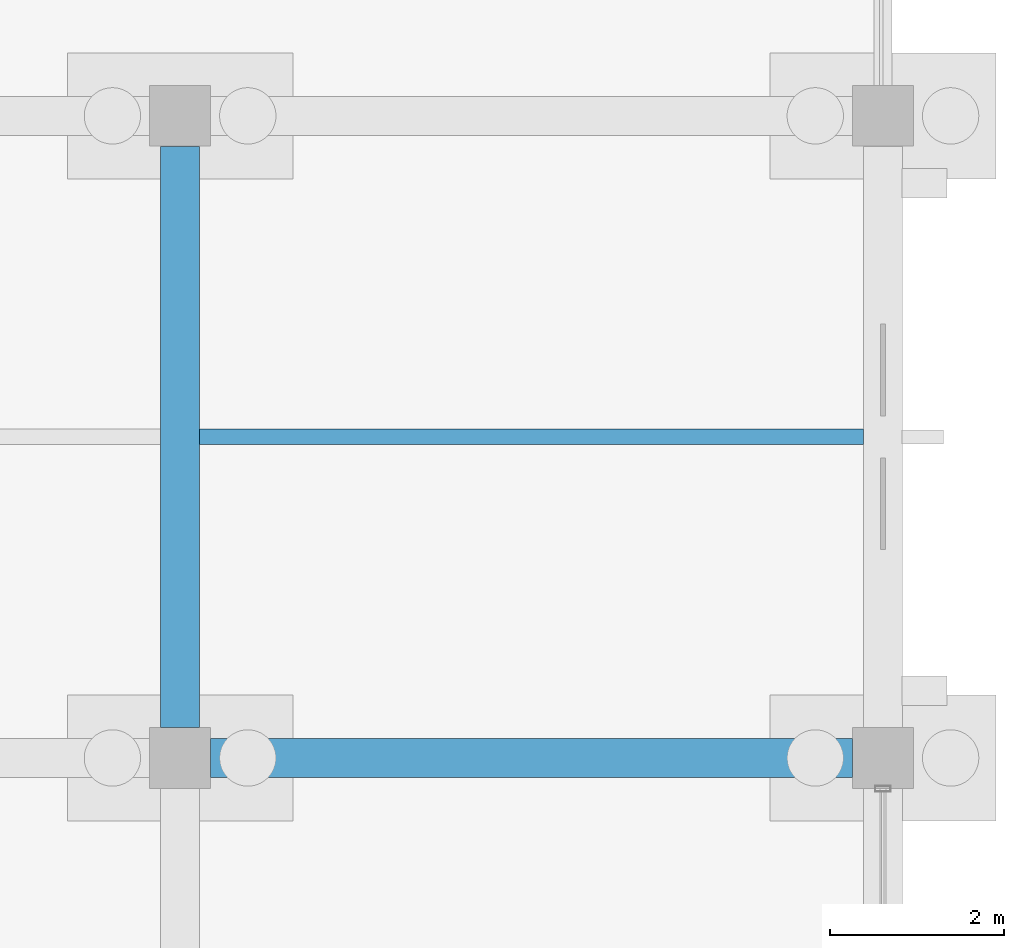
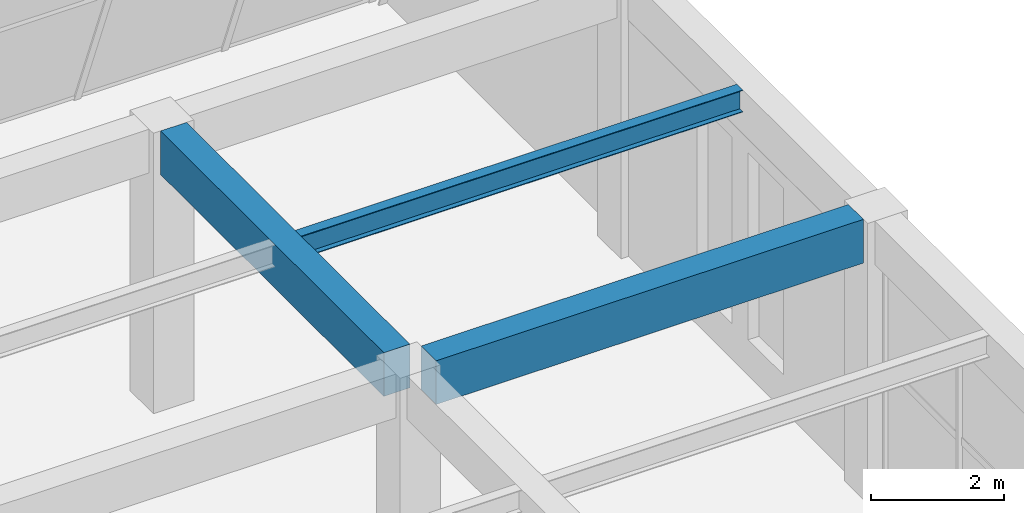
# One storey, part 84 of 140: 3 beams.
"""IFC4 building model written with IfcOpenShell, lengths in metres."""

from ifc_helpers import new_model, si_unit, direction, frame, origin, origin_2d, place, context, subcontext, project, spatial, rectangle, i_section, extrude, material, material_profile, profile_set, type_object, element, save


model = new_model("IFC4")

# Units and contexts
model_context = context("Model", 3, precision=1e-05, world=origin(), true_north=direction((0.0, 1.0)))
body_context = subcontext(model_context, "Body", "Model", "MODEL_VIEW")
ifc_project = project(units=[si_unit("LENGTHUNIT", "METRE"), si_unit("AREAUNIT", "SQUARE_METRE"), si_unit("VOLUMEUNIT", "CUBIC_METRE"), si_unit("PLANEANGLEUNIT", "RADIAN"), si_unit("MASSUNIT", "GRAM", prefix="KILO")], contexts=[model_context])

# Site, building, storey
site_placement = place(None, origin())
site = spatial("IfcSite", under=ifc_project, at=site_placement, CompositionType="ELEMENT")
building_placement = place(site_placement, origin())
building = spatial("IfcBuilding", under=site, at=building_placement, Name="Cimatlan Art Gallery", CompositionType="ELEMENT")
storey_placement = place(building_placement, origin())
storey = spatial("IfcBuildingStorey", under=building, at=storey_placement, Name="L00", CompositionType="ELEMENT", Elevation=0.0)

# Beams
ifc_material_1 = material(Name="Concrete C40/50", Category="concrete")
ifc_material_profile_1 = material_profile(ifc_material_1, rectangle(XDim=0.449951171875, YDim=0.800048828125, at=origin_2d()), Name="RC450X800")
ifc_profile_set_1 = profile_set([ifc_material_profile_1], Name="Concrete C40/50")
beam_type_1 = type_object("IfcBeamType", Name="BM-RC-450X800", PredefinedType="BEAM", material=ifc_profile_set_1)
beam_1_placement = place(storey_placement, frame((123.5, 83.449951171875, 4.735107421875), z_axis=(0.0, 1.0, 0.0), x_axis=(-1.0, 0.0, 0.0)))
element("IfcBeam", 1, at=beam_1_placement, inside=storey, type_object=beam_type_1, Name="BM-Y-L00-15-11", PredefinedType="BEAM", context=body_context, shape_type="SweptSolid", body=[
    extrude(rectangle(XDim=0.449951171875, YDim=0.800048828125, at=origin_2d()), origin(), (0.0, 0.0, 1.0), 6.699951171875),
])
beam_2_placement = place(storey_placement, frame((123.85009765625, 83.10009765625, 4.735107421875), z_axis=(1.0, 0.0, 0.0), x_axis=(0.0, 1.0, 0.0)))
element("IfcBeam", 2, at=beam_2_placement, inside=storey, type_object=beam_type_1, Name="BM-X-L00-15-11", PredefinedType="BEAM", context=body_context, shape_type="SweptSolid", body=[
    extrude(rectangle(XDim=0.449951171875, YDim=0.800048828125, at=origin_2d()), origin(), (0.0, 0.0, 1.0), 7.39990234375),
])
ifc_material_2 = material(Name="Steel ASTM A992 Grade 50", Category="steel")
ifc_material_profile_2 = material_profile(ifc_material_2, i_section(OverallWidth=0.177978515625, OverallDepth=0.406982421875, WebThickness=0.0078125, FlangeThickness=0.0126953125, at=origin_2d()), Name="W16X40")
ifc_profile_set_2 = profile_set([ifc_material_profile_2], Name="Steel ASTM A992 Grade 50")
beam_type_2 = type_object("IfcBeamType", Name="BM-STL-W16X40", PredefinedType="JOIST", material=ifc_profile_set_2)
beam_3_placement = place(storey_placement, frame((123.72509765625, 86.800048828125, 4.931396484375), z_axis=(1.0, 0.0, 0.0), x_axis=(0.0, 1.0, 0.0)))
element("IfcBeam", 3, at=beam_3_placement, inside=storey, type_object=beam_type_2, Name="JST-L00-15-11", PredefinedType="JOIST", context=body_context, shape_type="SweptSolid", body=[
    extrude(i_section(OverallWidth=0.177978515625, OverallDepth=0.406982421875, WebThickness=0.0078125, FlangeThickness=0.0126953125, at=origin_2d()), origin(), (0.0, 0.0, 1.0), 7.64990234375),
])

save(model, "model.ifc")
